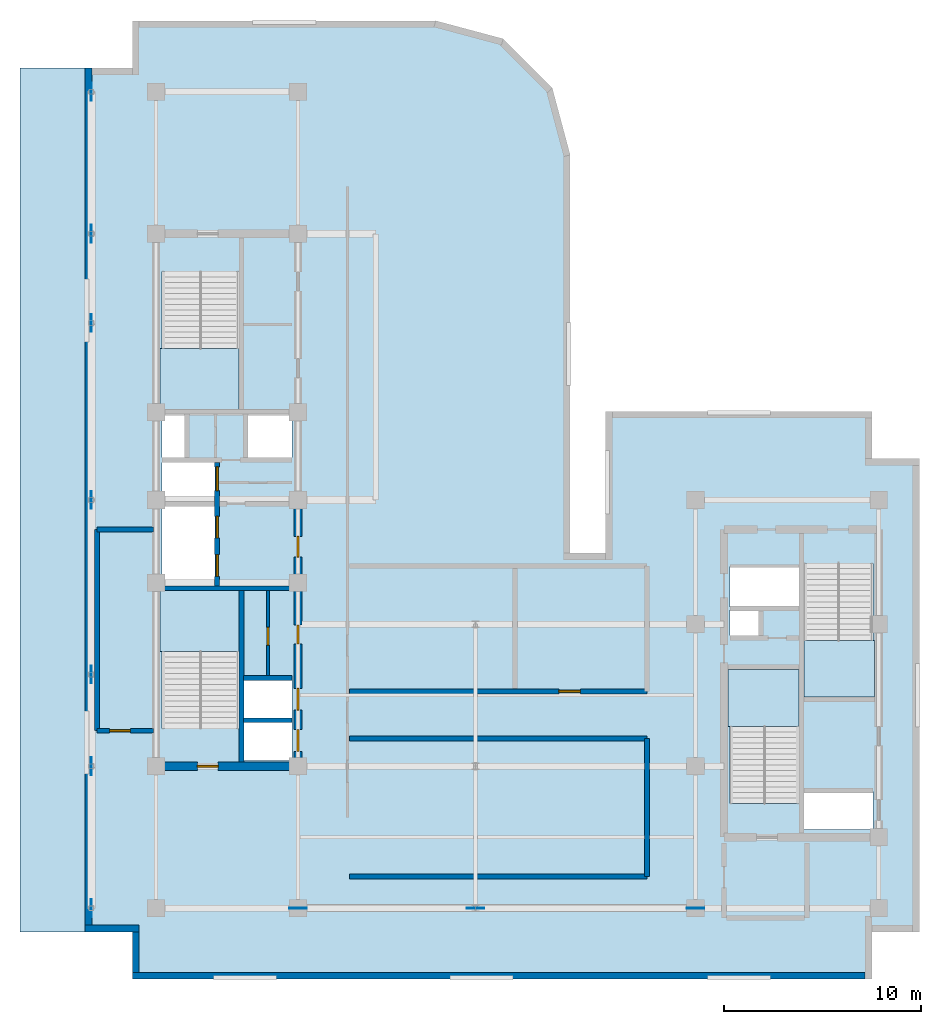
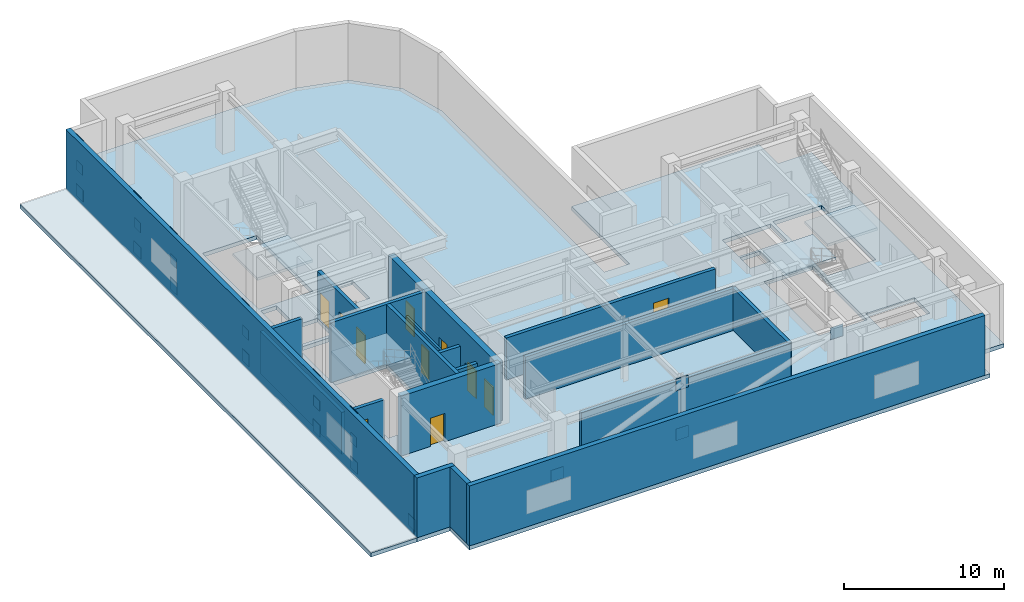
# One storey, part 6 of 13: 23 plates, 19 walls, 11 doors, 6 slabs, 11 openings, 4 elements without a shape of their own.
"""IFC4 building model written with IfcOpenShell, lengths in metres."""

import ifcopenshell
import ifcopenshell.guid

model = None  # the IFC model being written
_history = None  # IfcOwnerHistory: only IFC2X3 demands one
_inside = {}  # id of a spatial element -> (the spatial element, [elements in it])
_under = {}  # id of a project, library or spatial element -> (it, [spatial elements below it])
_declared = {}  # id of a project -> (the project, [libraries it declares])
_typed = {}  # id of a type object -> (the type object, [elements of that type])
_made_of = {}  # id of a material, layer set ... -> (it, [elements and type objects made of it])


def new_model(schema):
    """Start an empty IFC model of exactly this schema.

    Asked for "IFC4X3", IfcOpenShell would pick the latest addendum, in which some entities
    have other attributes; the version numbers below select the first issue.
    IFC2X3 requires an IfcOwnerHistory on every rooted entity: one is made here for all.
    """
    global model, _history
    if schema == "IFC4X3":
        model = ifcopenshell.file(schema_version=(4, 3, 0, 0))
    else:
        model = ifcopenshell.file(schema=schema)
    _inside.clear()
    _under.clear()
    _declared.clear()
    _typed.clear()
    _made_of.clear()
    _history = None
    if model.schema == "IFC2X3":
        org = make("IfcOrganization", Name="unknown")
        user = make(
            "IfcPersonAndOrganization",
            ThePerson=make("IfcPerson", FamilyName="unknown"),
            TheOrganization=org,
        )
        app = make(
            "IfcApplication",
            ApplicationDeveloper=org,
            Version="unknown",
            ApplicationFullName="unknown",
            ApplicationIdentifier="unknown",
        )
        _history = make(
            "IfcOwnerHistory",
            OwningUser=user,
            OwningApplication=app,
            ChangeAction="ADDED",
            CreationDate=0,
        )
    return model


def make(cls, **values):
    """One entity of the class cls with the attributes given. An attribute that is None is left unset."""
    return model.create_entity(
        cls, **{name: value for name, value in values.items() if value is not None}
    )


def entity(cls, *values):
    """Any entity or typed value of the class cls, its attributes in the order of the schema. None: left unset."""
    e = model.create_entity(cls)
    for i, value in enumerate(values):
        if value is not None:
            e[i] = value
    return e


def rooted(cls, **values):
    """An entity with a GlobalId (a new one), such as an element, a storey or a relation."""
    return make(cls, GlobalId=ifcopenshell.guid.new(), OwnerHistory=_history, **values)


def si_unit(unit_type, name, prefix=None):
    """IfcSIUnit, for example si_unit("LENGTHUNIT", "METRE", prefix="MILLI")."""
    return make("IfcSIUnit", UnitType=unit_type, Prefix=prefix, Name=name)


def converted_unit(unit_type, name, factor, base, dimensions=None, offset=None):
    """IfcConversionBasedUnit, such as the inch: factor (a typed value) times the base unit."""
    return make(
        "IfcConversionBasedUnit"
        if offset is None
        else "IfcConversionBasedUnitWithOffset",
        ConversionOffset=offset,
        Dimensions=None
        if dimensions is None
        else entity("IfcDimensionalExponents", *dimensions),
        UnitType=unit_type,
        Name=name,
        ConversionFactor=make(
            "IfcMeasureWithUnit", ValueComponent=factor, UnitComponent=base
        ),
    )


def assignment(units):
    """IfcUnitAssignment: the units of a project."""
    return None if units is None else make("IfcUnitAssignment", Units=units)


def point(xyz):
    """IfcCartesianPoint."""
    return None if xyz is None else make("IfcCartesianPoint", Coordinates=xyz)


def direction(xyz):
    """IfcDirection."""
    return None if xyz is None else make("IfcDirection", DirectionRatios=xyz)


def frame(location, z_axis=None, x_axis=None):
    """IfcAxis2Placement3D, a coordinate frame: its origin and axes. An axis left out is left unset."""
    return make(
        "IfcAxis2Placement3D",
        Location=point(location),
        Axis=direction(z_axis),
        RefDirection=direction(x_axis),
    )


def frame_2d(location, x_axis=None):
    """IfcAxis2Placement2D, a coordinate frame in the plane: its origin and x axis."""
    return make(
        "IfcAxis2Placement2D", Location=point(location), RefDirection=direction(x_axis)
    )


def origin_with_axes():
    """The frame at (0, 0, 0) with the z axis (0, 0, 1) and the x axis (1, 0, 0) written out."""
    return frame((0.0, 0.0, 0.0), z_axis=(0.0, 0.0, 1.0), x_axis=(1.0, 0.0, 0.0))


def origin_2d_with_axis():
    """The frame at (0, 0) in the plane with the x axis (1, 0) written out."""
    return frame_2d((0.0, 0.0), x_axis=(1.0, 0.0))


def place(relative_to, where):
    """IfcLocalPlacement: puts the frame where relative to a parent placement (None: the world)."""
    return make(
        "IfcLocalPlacement", PlacementRelTo=relative_to, RelativePlacement=where
    )


def context(
    kind, dimensions, precision=None, world=None, true_north=None, identifier=None
):
    """IfcGeometricRepresentationContext, for example the 3D "Model" context."""
    return make(
        "IfcGeometricRepresentationContext",
        ContextIdentifier=identifier,
        ContextType=kind,
        CoordinateSpaceDimension=dimensions,
        Precision=precision,
        WorldCoordinateSystem=world,
        TrueNorth=true_north,
    )


def subcontext(parent, identifier, kind, view, scale=None):
    """IfcGeometricRepresentationSubContext, for example "Body" below "Model"."""
    return make(
        "IfcGeometricRepresentationSubContext",
        ContextIdentifier=identifier,
        ContextType=kind,
        ParentContext=parent,
        TargetScale=scale,
        TargetView=view,
    )


def project(units=None, contexts=None):
    """IfcProject with its units and contexts."""
    return rooted(
        "IfcProject",
        Name="project",
        RepresentationContexts=contexts,
        UnitsInContext=assignment(units),
    )


def spatial(cls, under=None, at=None, **own):
    """A site, building, storey or space (cls), placed at a placement, below another one or the project."""
    s = rooted(cls, ObjectPlacement=at, **own)
    if under is not None:
        _under.setdefault(under.id(), (under, []))[1].append(s)
    return s


def polyline(points):
    """IfcPolyline through the points."""
    return make("IfcPolyline", Points=[point(p) for p in points])


def profile(cls, at=None, kind="AREA", **sizes):
    """A parametric profile (cls). Its sizes go by their IFC names, for example OverallWidth=200.0."""
    return make(cls, ProfileType=kind, Position=at, **sizes)


def rectangle(**sizes):
    """IfcRectangleProfileDef."""
    return profile("IfcRectangleProfileDef", **sizes)


def outline(outer, holes=None, kind="AREA"):
    """IfcArbitraryClosedProfileDef: a profile drawn as a closed curve; with holes, ...WithVoids."""
    if holes is None:
        return make("IfcArbitraryClosedProfileDef", ProfileType=kind, OuterCurve=outer)
    return make(
        "IfcArbitraryProfileDefWithVoids",
        ProfileType=kind,
        OuterCurve=outer,
        InnerCurves=holes,
    )


def extrude(swept, where, along, depth):
    """IfcExtrudedAreaSolid: the profile swept, set in the frame where, extruded along a direction by depth."""
    return make(
        "IfcExtrudedAreaSolid",
        SweptArea=swept,
        Position=where,
        ExtrudedDirection=direction(along),
        Depth=depth,
    )


def shape(context_of_items, identifier, shape_type, items):
    """IfcShapeRepresentation: the items that make up one representation, for example the "Body"."""
    return make(
        "IfcShapeRepresentation",
        ContextOfItems=context_of_items,
        RepresentationIdentifier=identifier,
        RepresentationType=shape_type,
        Items=items,
    )


def material(Name=None, Category=None):
    """IfcMaterial."""
    return make("IfcMaterial", Name=Name, Category=Category)


def layer(
    of_material, thickness, ventilated=None, Name=None, Category=None, Priority=None
):
    """IfcMaterialLayer: one layer of a wall or slab, of a material (None: an air gap)."""
    return make(
        "IfcMaterialLayer",
        Material=of_material,
        LayerThickness=thickness,
        IsVentilated=ventilated,
        Name=Name,
        Category=Category,
        Priority=Priority,
    )


def layer_set(layers, Name=None):
    """IfcMaterialLayerSet."""
    return make("IfcMaterialLayerSet", MaterialLayers=layers, LayerSetName=Name)


def made_of(thing, what):
    """Note that an element or type object is made of a material, layer set ...; save() writes the relation."""
    if what is not None:
        _made_of.setdefault(what.id(), (what, []))[1].append(thing)
    return thing


def type_object(cls, material=None, **own):
    """A type object (cls), such as IfcWallType, which elements share."""
    return made_of(rooted(cls, **own), material)


def element(
    cls,
    number,
    at=None,
    inside=None,
    cuts=None,
    type_object=None,
    material=None,
    context=None,
    identifier="Body",
    shape_type=None,
    held_by="IfcProductDefinitionShape",
    body=None,
    shapes=None,
    **own,
):
    """One element of the class cls, such as IfcWall. Its Tag is "e" and its number.

    at: its placement. inside: the storey or other place that contains it. cuts: it is an
    opening in that element (IfcRelVoidsElement). A single representation is given by context,
    identifier, shape_type and body (its items); several are given by shapes. held_by: the class
    of the entity that holds the representations. save() writes the other relations.
    """
    e = rooted(cls, Tag="e%d" % number, ObjectPlacement=at, **own)
    if body is not None:
        shapes = [shape(context, identifier, shape_type, body)]
    if shapes is not None:
        e.Representation = make(held_by, Representations=shapes)
    if inside is not None:
        _inside.setdefault(inside.id(), (inside, []))[1].append(e)
    if cuts is not None:
        rooted(
            "IfcRelVoidsElement", RelatingBuildingElement=cuts, RelatedOpeningElement=e
        )
    if type_object is not None:
        _typed.setdefault(type_object.id(), (type_object, []))[1].append(e)
    return made_of(e, material)


def fill(opening, filler):
    """IfcRelFillsElement: the door or window that sits in an opening."""
    return rooted(
        "IfcRelFillsElement",
        RelatingOpeningElement=opening,
        RelatedBuildingElement=filler,
    )


def aggregate(whole, parts):
    """IfcRelAggregates: a whole, such as a stair, and the parts it consists of."""
    return rooted("IfcRelAggregates", RelatingObject=whole, RelatedObjects=parts)


def save(model, path):
    """Write the relations noted so far, then the file.

    IfcRelAggregates (storeys below a building ...), IfcRelContainedInSpatialStructure (elements
    in a storey), IfcRelDefinesByType, IfcRelAssociatesMaterial and IfcRelDeclares: one each for
    every whole, place, type object, material and project.
    """
    for whole, parts in _under.values():
        aggregate(whole, parts)
    for where, things in _inside.values():
        rooted(
            "IfcRelContainedInSpatialStructure",
            RelatedElements=things,
            RelatingStructure=where,
        )
    for kind, things in _typed.values():
        rooted("IfcRelDefinesByType", RelatedObjects=things, RelatingType=kind)
    for what, things in _made_of.values():
        rooted("IfcRelAssociatesMaterial", RelatedObjects=things, RelatingMaterial=what)
    for by, libraries in _declared.values():
        rooted("IfcRelDeclares", RelatingContext=by, RelatedDefinitions=libraries)
    model.write(path)


model = new_model("IFC4")

# Units and contexts
model_context = context("Model", 3, precision=1e-05, world=origin_with_axes(), true_north=direction((0.0, 1.0)))
body_context = subcontext(model_context, "Body", "Model", "MODEL_VIEW")
ifc_project = project(units=[si_unit("LENGTHUNIT", "METRE"), si_unit("AREAUNIT", "SQUARE_METRE"), si_unit("VOLUMEUNIT", "CUBIC_METRE"), converted_unit("PLANEANGLEUNIT", "DEGREE", entity("IfcPlaneAngleMeasure", 0.017453292519943295), si_unit("PLANEANGLEUNIT", "RADIAN"), dimensions=[0, 0, 0, 0, 0, 0, 0]), si_unit("MASSUNIT", "GRAM", prefix="KILO"), si_unit("THERMODYNAMICTEMPERATUREUNIT", "KELVIN")], contexts=[model_context])

# Site, building, storey
site_placement = place(None, origin_with_axes())
site = spatial("IfcSite", under=ifc_project, at=site_placement, CompositionType="ELEMENT")
building_placement = place(site_placement, origin_with_axes())
building = spatial("IfcBuilding", under=site, at=building_placement, Name="Varnlund Millrace Tower", CompositionType="ELEMENT")
storey_placement = place(building_placement, frame((0.0, 0.0, 248.1), z_axis=(0.0, 0.0, 1.0), x_axis=(1.0, 0.0, 0.0)))
storey = spatial("IfcBuildingStorey", under=building, at=storey_placement, Name="L61", CompositionType="ELEMENT", Elevation=248.1)

# Slabs
ifc_material_1 = material(Name="Concrete C50/60", Category="concrete")
ifc_layer_1 = layer(ifc_material_1, 0.3, Name="Concrete C50/60")
ifc_layer_set_1 = layer_set([ifc_layer_1], Name="Concrete C50/60")
slab_type_1 = type_object("IfcSlabType", Name="Type-Cap-Deck-Setback-300", PredefinedType="ROOF", material=ifc_layer_set_1)
slab_1_placement = place(storey_placement, frame((0.0, 0.0, -0.3), z_axis=(0.0, 0.0, 1.0), x_axis=(1.0, 0.0, 0.0)))
element("IfcSlab", 1, at=slab_1_placement, inside=storey, type_object=slab_type_1, Name="Type-Cap-Deck-Setback-300", PredefinedType="ROOF", context=body_context, shape_type="SweptSolid", body=[
    extrude(outline(polyline([(7.8, 2.4), (7.8, 46.2), (4.5, 46.2), (4.5, 2.4), (7.8, 2.4)])), origin_with_axes(), (0.0, 0.0, 1.0), 0.3),
])
ifc_material_2 = material(Name="Concrete C70/85", Category="concrete")
ifc_layer_2 = layer(ifc_material_2, 0.3, Name="Concrete C70/85")
ifc_layer_set_2 = layer_set([ifc_layer_2], Name="Concrete C70/85")
slab_type_2 = type_object("IfcSlabType", Name="Type-Deck-Plate-Transfer-300", PredefinedType="FLOOR", material=ifc_layer_set_2)
slab_2_placement = place(storey_placement, frame((0.0, 0.0, -0.3), z_axis=(0.0, 0.0, 1.0), x_axis=(1.0, 0.0, 0.0)))
element("IfcSlab", 2, at=slab_2_placement, inside=storey, type_object=slab_type_2, Name="Type-Deck-Plate-Transfer-300", PredefinedType="FLOOR", context=body_context, shape_type="SweptSolid", body=[
    extrude(outline(polyline([(32.4, 21.6), (32.4, 41.8), (31.489, 45.2), (29.0, 47.689), (25.6, 48.6), (10.2, 48.6), (10.2, 46.2), (7.8, 46.2), (7.8, 2.4), (10.2, 2.4), (10.2, 0.0), (47.7, 0.0), (47.7, 2.4), (50.1, 2.4), (50.1, 26.4), (47.7, 26.4), (47.7, 28.8), (34.2, 28.8), (34.2, 21.6), (32.4, 21.6)]), holes=[polyline([(18.3, 13.1), (18.3, 11.1), (15.84, 11.1), (15.84, 13.1), (18.3, 13.1)]), polyline([(15.6, 12.715), (11.7, 12.715), (11.7, 19.7), (15.6, 19.7), (15.6, 12.715)]), polyline([(11.7, 19.94), (11.7, 23.98), (14.38, 23.98), (14.38, 19.94), (11.7, 19.94)]), polyline([(14.38, 24.24), (11.7, 24.24), (11.7, 26.2), (14.38, 26.2), (14.38, 24.24)]), polyline([(12.84, 26.46), (11.7, 26.46), (11.7, 28.65), (12.84, 28.65), (12.84, 26.46)]), polyline([(15.6, 28.9), (11.7, 28.9), (11.7, 35.885), (15.6, 35.885), (15.6, 28.9)]), polyline([(47.75, 9.52), (47.75, 7.58), (44.25, 7.58), (44.25, 9.52), (47.75, 9.52)]), polyline([(44.0, 8.915), (40.5, 8.915), (40.5, 15.7), (44.0, 15.7), (44.0, 8.915)]), polyline([(18.3, 13.16), (15.84, 13.16), (15.84, 15.24), (18.3, 15.24), (18.3, 13.16)]), polyline([(47.75, 14.3), (44.25, 14.3), (44.25, 21.085), (47.75, 21.085), (47.75, 14.3)]), polyline([(41.95, 17.42), (40.5, 17.42), (40.5, 18.72), (41.95, 18.72), (41.95, 17.42)]), polyline([(44.0, 18.88), (40.5, 18.88), (40.5, 20.94), (44.0, 20.94), (44.0, 18.88)]), polyline([(18.3, 26.46), (16.04, 26.46), (16.04, 28.65), (18.3, 28.65), (18.3, 26.46)])]), origin_with_axes(), (0.0, 0.0, 1.0), 0.3),
])

# Plates
ifc_material_3 = material(Name="Steel ASTM A572 Grade 50", Category="steel")
ifc_layer_3 = layer(ifc_material_3, 0.04, Name="Steel ASTM A572 Grade 50")
ifc_layer_set_3 = layer_set([ifc_layer_3], Name="Steel ASTM A572 Grade 50")
plate_type_1 = type_object("IfcPlateType", Name="Type-Gusset-Plate-900X900X40", PredefinedType="SHEET", material=ifc_layer_set_3)
for number, where, z_axis, x_axis, name in (
    (3, (8.12, 3.6, -0.1), (0.0, 0.0, 1.0), (0.0, 1.0, 0.0), "Type-Gusset-Plate-900X900X40"),
    (4, (8.12, 10.8, -0.1), (0.0, 0.0, 1.0), (0.0, 1.0, 0.0), "Type-Gusset-Plate-900X900X40"),
    (5, (8.12, 10.8, 3.7), (0.0, 0.0, 1.0), (0.0, 1.0, 0.0), "Type-Gusset-Plate-900X900X40"),
    (6, (8.12, 15.45, -0.1), (0.0, 0.0, 1.0), (0.0, 1.0, 0.0), "Type-Gusset-Plate-900X900X40"),
    (7, (8.12, 15.45, 3.7), (0.0, 0.0, 1.0), (0.0, 1.0, 0.0), "Type-Gusset-Plate-900X900X40"),
    (8, (8.12, 24.3, -0.1), (0.0, 0.0, 1.0), (0.0, 1.0, 0.0), "Type-Gusset-Plate-900X900X40"),
    (9, (8.12, 24.3, 3.7), (0.0, 0.0, 1.0), (0.0, 1.0, 0.0), "Type-Gusset-Plate-900X900X40"),
    (10, (8.12, 33.275, -0.1), (0.0, 0.0, 1.0), (0.0, 1.0, 0.0), "Type-Gusset-Plate-900X900X40"),
    (11, (8.12, 33.275, 3.7), (0.0, 0.0, 1.0), (0.0, 1.0, 0.0), "Type-Gusset-Plate-900X900X40"),
    (12, (8.12, 37.8, -0.1), (0.0, 0.0, 1.0), (0.0, 1.0, 0.0), "Type-Gusset-Plate-900X900X40"),
    (13, (8.12, 37.8, 3.7), (0.0, 0.0, 1.0), (0.0, 1.0, 0.0), "Type-Gusset-Plate-900X900X40"),
    (14, (8.12, 45.0, -0.1), (0.0, 0.0, 1.0), (0.0, 1.0, 0.0), "Type-Gusset-Plate-900X900X40"),
    (15, (8.12, 45.0, 3.7), (0.0, 0.0, 1.0), (0.0, 1.0, 0.0), "Type-Gusset-Plate-900X900X40"),
    (16, (18.6, 3.6, -0.1), (0.0, 0.0, 1.0), (1.0, 0.0, 0.0), "Type-Gusset-Plate-900X900X40"),
    (17, (27.6, 3.6, -0.1), (0.0, 0.0, 1.0), (1.0, 0.0, 0.0), "Type-Gusset-Plate-900X900X40"),
    (18, (27.6, 3.6, 3.7), (0.0, 0.0, 1.0), (1.0, 0.0, 0.0), "Type-Gusset-Plate-900X900X40"),
    (19, (38.75, 3.6, 3.7), (0.0, 0.0, 1.0), (1.0, 0.0, 0.0), "Type-Gusset-Plate-900X900X40"),
):
    element("IfcPlate", number, at=place(storey_placement, frame(where, z_axis=z_axis, x_axis=x_axis)), inside=storey, type_object=plate_type_1, Name=name, PredefinedType="SHEET", context=body_context, shape_type="SweptSolid", body=[
        extrude(rectangle(XDim=0.9, YDim=0.04, at=origin_2d_with_axis()), origin_with_axes(), (0.0, 0.0, 1.0), 0.9),
    ])

# Stair, slab
stair_type_1 = type_object("IfcStairType", Name="Type-Stair-Dogleg-185-480", PredefinedType="HALF_TURN_STAIR", material=ifc_material_1)
stair_1_placement = place(storey_placement, origin_with_axes())
stair_1 = element("IfcStair", 20, at=stair_1_placement, inside=storey, type_object=stair_type_1, Name="Type-Stair-Dogleg-185-480", PredefinedType="HALF_TURN_STAIR")
ifc_layer_4 = layer(ifc_material_1, 0.2, Name="Concrete C50/60")
ifc_layer_set_4 = layer_set([ifc_layer_4], Name="Concrete C50/60")
slab_type_3 = type_object("IfcSlabType", Name="Type-StairLanding-200", PredefinedType="LANDING", material=ifc_layer_set_4)
slab_3_placement = place(storey_placement, frame((0.0, 0.0, 2.2), z_axis=(0.0, 0.0, 1.0), x_axis=(1.0, 0.0, 0.0)))
slab_3 = element("IfcSlab", 21, at=slab_3_placement, type_object=slab_type_3, Name="ST-A1 landing 1", PredefinedType="LANDING", context=body_context, shape_type="SweptSolid", body=[
    extrude(outline(polyline([(15.6, 16.62), (15.6, 19.7), (11.61, 19.7), (11.61, 16.62), (15.6, 16.62)])), origin_with_axes(), (0.0, 0.0, 1.0), 0.2),
])
aggregate(stair_1, [slab_3])

stair_2_placement = place(storey_placement, origin_with_axes())
stair_2 = element("IfcStair", 22, at=stair_2_placement, inside=storey, type_object=stair_type_1, Name="Type-Stair-Dogleg-185-480", PredefinedType="HALF_TURN_STAIR")
slab_4_placement = place(storey_placement, frame((0.0, 0.0, 2.2), z_axis=(0.0, 0.0, 1.0), x_axis=(1.0, 0.0, 0.0)))
slab_4 = element("IfcSlab", 23, at=slab_4_placement, type_object=slab_type_3, Name="ST-A2 landing 1", PredefinedType="LANDING", context=body_context, shape_type="SweptSolid", body=[
    extrude(outline(polyline([(11.61, 31.98), (11.61, 28.9), (15.6, 28.9), (15.6, 31.98), (11.61, 31.98)])), origin_with_axes(), (0.0, 0.0, 1.0), 0.2),
])
aggregate(stair_2, [slab_4])

stair_type_2 = type_object("IfcStairType", Name="Type-Stair-Dogleg-165-480", PredefinedType="HALF_TURN_STAIR", material=ifc_material_1)
stair_3_placement = place(storey_placement, origin_with_axes())
stair_3 = element("IfcStair", 24, at=stair_3_placement, inside=storey, type_object=stair_type_2, Name="Type-Stair-Dogleg-165-480", PredefinedType="HALF_TURN_STAIR")
slab_5_placement = place(storey_placement, frame((0.0, 0.0, 2.2), z_axis=(0.0, 0.0, 1.0), x_axis=(1.0, 0.0, 0.0)))
slab_5 = element("IfcSlab", 25, at=slab_5_placement, type_object=slab_type_3, Name="ST-B1 landing 1", PredefinedType="LANDING", context=body_context, shape_type="SweptSolid", body=[
    extrude(outline(polyline([(44.0, 12.82), (44.0, 15.7), (40.41, 15.7), (40.41, 12.82), (44.0, 12.82)])), origin_with_axes(), (0.0, 0.0, 1.0), 0.2),
])
aggregate(stair_3, [slab_5])

stair_4_placement = place(storey_placement, origin_with_axes())
stair_4 = element("IfcStair", 26, at=stair_4_placement, inside=storey, type_object=stair_type_2, Name="Type-Stair-Dogleg-165-480", PredefinedType="HALF_TURN_STAIR")
slab_6_placement = place(storey_placement, frame((0.0, 0.0, 2.2), z_axis=(0.0, 0.0, 1.0), x_axis=(1.0, 0.0, 0.0)))
slab_6 = element("IfcSlab", 27, at=slab_6_placement, type_object=slab_type_3, Name="ST-B2 landing 1", PredefinedType="LANDING", context=body_context, shape_type="SweptSolid", body=[
    extrude(outline(polyline([(44.25, 17.18), (44.25, 14.3), (47.84, 14.3), (47.84, 17.18), (44.25, 17.18)])), origin_with_axes(), (0.0, 0.0, 1.0), 0.2),
])
aggregate(stair_4, [slab_6])

# Plates
ifc_layer_5 = layer(ifc_material_3, 0.032, Name="Steel ASTM A572 Grade 50")
ifc_layer_set_5 = layer_set([ifc_layer_5], Name="Steel ASTM A572 Grade 50")
plate_type_2 = type_object("IfcPlateType", Name="Type-Stiffener-Plate-750X750X32", PredefinedType="USERDEFINED", material=ifc_layer_set_5)
for number, where, z_axis, x_axis, name in (
    (28, (8.12, 10.8, 1.875), (0.0, 0.0, 1.0), (0.0, 1.0, 0.0), "Type-Stiffener-Plate-750X750X32"),
    (29, (8.12, 15.45, 1.875), (0.0, 0.0, 1.0), (0.0, 1.0, 0.0), "Type-Stiffener-Plate-750X750X32"),
    (30, (8.12, 24.3, 1.875), (0.0, 0.0, 1.0), (0.0, 1.0, 0.0), "Type-Stiffener-Plate-750X750X32"),
    (31, (8.12, 33.275, 1.875), (0.0, 0.0, 1.0), (0.0, 1.0, 0.0), "Type-Stiffener-Plate-750X750X32"),
    (32, (8.12, 37.8, 1.875), (0.0, 0.0, 1.0), (0.0, 1.0, 0.0), "Type-Stiffener-Plate-750X750X32"),
    (33, (8.12, 45.0, 1.875), (0.0, 0.0, 1.0), (0.0, 1.0, 0.0), "Type-Stiffener-Plate-750X750X32"),
):
    element("IfcPlate", number, at=place(storey_placement, frame(where, z_axis=z_axis, x_axis=x_axis)), inside=storey, type_object=plate_type_2, Name=name, ObjectType="STIFFENER PLATE", PredefinedType="USERDEFINED", context=body_context, shape_type="SweptSolid", body=[
        extrude(rectangle(XDim=0.75, YDim=0.032, at=origin_2d_with_axis()), origin_with_axes(), (0.0, 0.0, 1.0), 0.75),
    ])

# Wall, opening, door
ifc_material_4 = material(Name="Concrete C60/75", Category="concrete")
ifc_layer_6 = layer(ifc_material_4, 0.42, Name="Concrete C60/75")
ifc_layer_set_6 = layer_set([ifc_layer_6], Name="Concrete C60/75")
wall_type_1 = type_object("IfcWallType", Name="Type-CoreWall-Shear-420-C60", PredefinedType="SHEAR", material=ifc_layer_set_6)
wall_1_placement = place(storey_placement, frame((11.4, 10.8, 0.0), z_axis=(0.0, 0.0, 1.0), x_axis=(1.0, 0.0, 0.0)))
wall_1 = element("IfcWall", 34, at=wall_1_placement, inside=storey, type_object=wall_type_1, Name="Type-CoreWall-Shear-420-C60", PredefinedType="SHEAR", context=body_context, shape_type="SweptSolid", body=[
    extrude(outline(polyline([(0.0, -0.21), (7.2, -0.21), (7.2, 0.21), (0.0, 0.21), (0.0, -0.21)])), origin_with_axes(), (0.0, 0.0, 1.0), 4.56),
])
opening_1_placement = place(wall_1_placement, frame((2.625, 0.0, 0.0), z_axis=(0.0, 0.0, 1.0), x_axis=(1.0, 0.0, 0.0)))
opening_1 = element("IfcOpeningElement", 35, at=opening_1_placement, cuts=wall_1, Name="Opening L61:DR-STA1", PredefinedType="OPENING", context=body_context, shape_type="SweptSolid", body=[
    extrude(rectangle(XDim=1.05, YDim=0.44, at=origin_2d_with_axis()), origin_with_axes(), (0.0, 0.0, 1.0), 2.15),
])
ifc_material_5 = material(Name="Fire-rated hollow steel door", Category="steel")
door_type_1 = type_object("IfcDoorType", Name="Type-FireDoor-Stair-1050X2150", OperationType="NOTDEFINED", PredefinedType="DOOR", material=ifc_material_5)
door_1_placement = place(wall_1_placement, frame((2.625, 0.0, 0.0), z_axis=(0.0, 0.0, 1.0), x_axis=(1.0, 0.0, 0.0)))
door_1 = element("IfcDoor", 36, at=door_1_placement, inside=storey, type_object=door_type_1, Name="Type-FireDoor-Stair-1050X2150", OperationType="SINGLE_SWING_LEFT", OverallHeight=2.15, OverallWidth=1.05, PredefinedType="DOOR", context=body_context, shape_type="SweptSolid", body=[
    extrude(rectangle(XDim=1.05, YDim=0.09, at=origin_2d_with_axis()), origin_with_axes(), (0.0, 0.0, 1.0), 2.15),
])
fill(opening_1, door_1)

# Wall, openings, doors
wall_2_placement = place(storey_placement, frame((18.6, 10.8, 0.0), z_axis=(0.0, 0.0, 1.0), x_axis=(0.0, 1.0, 0.0)))
wall_2 = element("IfcWall", 37, at=wall_2_placement, inside=storey, type_object=wall_type_1, Name="Type-CoreWall-Shear-420-C60", PredefinedType="SHEAR", context=body_context, shape_type="SweptSolid", body=[
    extrude(outline(polyline([(0.0, -0.21), (13.5, -0.21), (13.5, 0.21), (0.0, 0.21), (0.0, -0.21)])), origin_with_axes(), (0.0, 0.0, 1.0), 4.56),
])
opening_2_placement = place(wall_2_placement, frame((1.3, 0.0, 0.0), z_axis=(0.0, 0.0, 1.0), x_axis=(1.0, 0.0, 0.0)))
opening_2 = element("IfcOpeningElement", 38, at=opening_2_placement, cuts=wall_2, Name="Opening L61:LD-ELV-H1", PredefinedType="OPENING", context=body_context, shape_type="SweptSolid", body=[
    extrude(rectangle(XDim=1.1, YDim=0.44, at=origin_2d_with_axis()), origin_with_axes(), (0.0, 0.0, 1.0), 2.15),
])
opening_3_placement = place(wall_2_placement, frame((3.4, 0.0, 0.0), z_axis=(0.0, 0.0, 1.0), x_axis=(1.0, 0.0, 0.0)))
opening_3 = element("IfcOpeningElement", 39, at=opening_3_placement, cuts=wall_2, Name="Opening L61:LD-ELV-H2", PredefinedType="OPENING", context=body_context, shape_type="SweptSolid", body=[
    extrude(rectangle(XDim=1.1, YDim=0.44, at=origin_2d_with_axis()), origin_with_axes(), (0.0, 0.0, 1.0), 2.15),
])
opening_4_placement = place(wall_2_placement, frame((11.125, 0.0, 0.0), z_axis=(0.0, 0.0, 1.0), x_axis=(1.0, 0.0, 0.0)))
opening_4 = element("IfcOpeningElement", 40, at=opening_4_placement, cuts=wall_2, Name="Opening L61:DR-FFLOB-A", PredefinedType="OPENING", context=body_context, shape_type="SweptSolid", body=[
    extrude(rectangle(XDim=1.05, YDim=0.44, at=origin_2d_with_axis()), origin_with_axes(), (0.0, 0.0, 1.0), 2.15),
])
opening_5_placement = place(wall_2_placement, frame((6.675, 0.0, 0.0), z_axis=(0.0, 0.0, 1.0), x_axis=(1.0, 0.0, 0.0)))
opening_5 = element("IfcOpeningElement", 41, at=opening_5_placement, cuts=wall_2, Name="Opening L61:DR-RECL-S1B2", PredefinedType="OPENING", context=body_context, shape_type="SweptSolid", body=[
    extrude(rectangle(XDim=0.95, YDim=0.44, at=origin_2d_with_axis()), origin_with_axes(), (0.0, 0.0, 1.0), 2.15),
])
ifc_material_6 = material(Name="Smoke-barrier hollow steel fire door", Category="steel")
door_type_2 = type_object("IfcDoorType", Name="Type-FireDoor-Lobby-1050X2150", OperationType="NOTDEFINED", PredefinedType="DOOR", material=ifc_material_6)
door_2_placement = place(wall_2_placement, frame((11.125, 0.0, 0.0), z_axis=(0.0, 0.0, 1.0), x_axis=(1.0, 0.0, 0.0)))
door_2 = element("IfcDoor", 42, at=door_2_placement, inside=storey, type_object=door_type_2, Name="Type-FireDoor-Lobby-1050X2150", OperationType="SINGLE_SWING_LEFT", OverallHeight=2.15, OverallWidth=1.05, PredefinedType="DOOR", context=body_context, shape_type="SweptSolid", body=[
    extrude(rectangle(XDim=1.05, YDim=0.09, at=origin_2d_with_axis()), origin_with_axes(), (0.0, 0.0, 1.0), 2.15),
])
fill(opening_4, door_2)
ifc_material_7 = material(Name="Fire-rated hollow steel core service door", Category="steel")
door_type_3 = type_object("IfcDoorType", Name="Type-FireDoor-Service-950X2150", OperationType="NOTDEFINED", PredefinedType="DOOR", material=ifc_material_7)
door_3_placement = place(wall_2_placement, frame((6.675, 0.0, 0.0), z_axis=(0.0, 0.0, 1.0), x_axis=(1.0, 0.0, 0.0)))
door_3 = element("IfcDoor", 43, at=door_3_placement, inside=storey, type_object=door_type_3, Name="Type-FireDoor-Service-950X2150", OperationType="SINGLE_SWING_RIGHT", OverallHeight=2.15, OverallWidth=0.95, PredefinedType="DOOR", context=body_context, shape_type="SweptSolid", body=[
    extrude(rectangle(XDim=0.95, YDim=0.09, at=origin_2d_with_axis()), origin_with_axes(), (0.0, 0.0, 1.0), 2.15),
])
fill(opening_5, door_3)
ifc_material_8 = material(Name="Stainless and architectural bronze sliding landing door")
door_type_4 = type_object("IfcDoorType", Name="Type-LiftLandingDoor-1100X2150", OperationType="NOTDEFINED", PredefinedType="DOOR", material=ifc_material_8)
door_4_placement = place(wall_2_placement, frame((1.3, 0.0, 0.0), z_axis=(0.0, 0.0, 1.0), x_axis=(1.0, 0.0, 0.0)))
door_4 = element("IfcDoor", 44, at=door_4_placement, inside=storey, type_object=door_type_4, Name="Type-LiftLandingDoor-1100X2150", OperationType="SLIDING_TO_LEFT", OverallHeight=2.15, OverallWidth=1.1, PredefinedType="DOOR", context=body_context, shape_type="SweptSolid", body=[
    extrude(rectangle(XDim=1.1, YDim=0.09, at=origin_2d_with_axis()), origin_with_axes(), (0.0, 0.0, 1.0), 2.15),
])
fill(opening_2, door_4)
door_5_placement = place(wall_2_placement, frame((3.4, 0.0, 0.0), z_axis=(0.0, 0.0, 1.0), x_axis=(1.0, 0.0, 0.0)))
door_5 = element("IfcDoor", 45, at=door_5_placement, inside=storey, type_object=door_type_4, Name="Type-LiftLandingDoor-1100X2150", OperationType="SLIDING_TO_RIGHT", OverallHeight=2.15, OverallWidth=1.1, PredefinedType="DOOR", context=body_context, shape_type="SweptSolid", body=[
    extrude(rectangle(XDim=1.1, YDim=0.09, at=origin_2d_with_axis()), origin_with_axes(), (0.0, 0.0, 1.0), 2.15),
])
fill(opening_3, door_5)

# Walls
ifc_material_9 = material(Name="Precast concrete C50/60", Category="concrete")
ifc_layer_7 = layer(ifc_material_9, 0.34, Name="Precast concrete C50/60")
ifc_layer_set_7 = layer_set([ifc_layer_7], Name="Precast concrete C50/60")
wall_type_2 = type_object("IfcWallType", Name="Type-ExtWall-Precast-Upper-340", PredefinedType="SOLIDWALL", material=ifc_layer_set_7)
wall_3_placement = place(storey_placement, frame((47.36, 0.17, 0.0), z_axis=(0.0, 0.0, 1.0), x_axis=(-1.0, 0.0, 0.0)))
element("IfcWall", 46, at=wall_3_placement, inside=storey, type_object=wall_type_2, Name="Type-ExtWall-Precast-Upper-340", PredefinedType="SOLIDWALL", context=body_context, shape_type="SweptSolid", body=[
    extrude(outline(polyline([(0.0, -0.17), (37.16, -0.17), (37.16, 0.17), (0.0, 0.17), (0.0, -0.17)])), origin_with_axes(), (0.0, 0.0, 1.0), 4.56),
])
wall_4_placement = place(storey_placement, frame((10.37, 0.34, 0.0), z_axis=(0.0, 0.0, 1.0), x_axis=(0.0, 1.0, 0.0)))
element("IfcWall", 47, at=wall_4_placement, inside=storey, type_object=wall_type_2, Name="Type-ExtWall-Precast-Upper-340", PredefinedType="SOLIDWALL", context=body_context, shape_type="SweptSolid", body=[
    extrude(outline(polyline([(0.0, -0.17), (2.06, -0.17), (2.06, 0.17), (0.0, 0.17), (0.0, -0.17)])), origin_with_axes(), (0.0, 0.0, 1.0), 4.56),
])
wall_5_placement = place(storey_placement, frame((10.54, 2.57, 0.0), z_axis=(0.0, 0.0, 1.0), x_axis=(-1.0, 0.0, 0.0)))
element("IfcWall", 48, at=wall_5_placement, inside=storey, type_object=wall_type_2, Name="Type-ExtWall-Precast-Upper-340", PredefinedType="SOLIDWALL", context=body_context, shape_type="SweptSolid", body=[
    extrude(outline(polyline([(0.0, -0.17), (2.74, -0.17), (2.74, 0.17), (0.0, 0.17), (0.0, -0.17)])), origin_with_axes(), (0.0, 0.0, 1.0), 4.56),
])
wall_6_placement = place(storey_placement, frame((7.97, 2.74, 0.0), z_axis=(0.0, 0.0, 1.0), x_axis=(0.0, 1.0, 0.0)))
element("IfcWall", 49, at=wall_6_placement, inside=storey, type_object=wall_type_2, Name="Type-ExtWall-Precast-Upper-340", PredefinedType="SOLIDWALL", context=body_context, shape_type="SweptSolid", body=[
    extrude(outline(polyline([(0.0, -0.17), (43.46, -0.17), (43.46, 0.17), (0.0, 0.17), (0.0, -0.17)])), origin_with_axes(), (0.0, 0.0, 1.0), 4.56),
])

# Wall, opening, door
ifc_material_10 = material(Name="Fire-rated gypsum board on cold-formed steel framing", Category="steel")
ifc_layer_8 = layer(ifc_material_10, 0.16, Name="Fire-rated gypsum board on cold-formed steel framing")
ifc_layer_set_8 = layer_set([ifc_layer_8], Name="Fire-rated gypsum board on cold-formed steel framing")
wall_type_3 = type_object("IfcWallType", Name="Type-Partition-Corridor-160", PredefinedType="PARTITIONING", material=ifc_layer_set_8)
wall_7_placement = place(storey_placement, frame((17.07, 15.34, 0.0), z_axis=(0.0, 0.0, 1.0), x_axis=(0.0, 1.0, 0.0)))
wall_7 = element("IfcWall", 50, at=wall_7_placement, inside=storey, type_object=wall_type_3, Name="Type-Partition-Corridor-160", PredefinedType="PARTITIONING", context=body_context, shape_type="SweptSolid", body=[
    extrude(outline(polyline([(0.0, -0.08), (4.36, -0.08), (4.36, 0.08), (0.0, 0.08), (0.0, -0.08)])), origin_with_axes(), (0.0, 0.0, 1.0), 3.2),
])
opening_6_placement = place(wall_7_placement, frame((2.05, 0.0, 0.0), z_axis=(0.0, 0.0, 1.0), x_axis=(1.0, 0.0, 0.0)))
opening_6 = element("IfcOpeningElement", 51, at=opening_6_placement, cuts=wall_7, Name="Opening L61:DR-RECL-S1B1", PredefinedType="OPENING", context=body_context, shape_type="SweptSolid", body=[
    extrude(rectangle(XDim=0.9, YDim=0.18, at=origin_2d_with_axis()), origin_with_axes(), (0.0, 0.0, 1.0), 2.15),
])
ifc_material_11 = material(Name="Painted steel riser and closet door", Category="steel")
door_type_5 = type_object("IfcDoorType", Name="Type-IntDoor-Closet-900X2150", OperationType="NOTDEFINED", PredefinedType="DOOR", material=ifc_material_11)
door_6_placement = place(wall_7_placement, frame((2.05, 0.0, 0.0), z_axis=(0.0, 0.0, 1.0), x_axis=(1.0, 0.0, 0.0)))
door_6 = element("IfcDoor", 52, at=door_6_placement, inside=storey, type_object=door_type_5, Name="Type-IntDoor-Closet-900X2150", OperationType="SINGLE_SWING_LEFT", OverallHeight=2.15, OverallWidth=0.9, PredefinedType="DOOR", context=body_context, shape_type="SweptSolid", body=[
    extrude(rectangle(XDim=0.9, YDim=0.09, at=origin_2d_with_axis()), origin_with_axes(), (0.0, 0.0, 1.0), 2.15),
])
fill(opening_6, door_6)

# Wall, openings, doors
ifc_layer_9 = layer(ifc_material_4, 0.25, Name="Concrete C60/75")
ifc_layer_set_9 = layer_set([ifc_layer_9], Name="Concrete C60/75")
wall_type_4 = type_object("IfcWallType", Name="Type-ShaftWall-Fire-250", PredefinedType="SOLIDWALL", material=ifc_layer_set_9)
wall_8_placement = place(storey_placement, frame((14.5, 19.95, 0.0), z_axis=(0.0, 0.0, 1.0), x_axis=(0.0, 1.0, 0.0)))
wall_8 = element("IfcWall", 53, at=wall_8_placement, inside=storey, type_object=wall_type_4, Name="Type-ShaftWall-Fire-250", PredefinedType="SOLIDWALL", context=body_context, shape_type="SweptSolid", body=[
    extrude(outline(polyline([(0.0, -0.125), (6.25, -0.125), (6.25, 0.125), (0.0, 0.125), (0.0, -0.125)])), origin_with_axes(), (0.0, 0.0, 1.0), 3.6),
])
opening_7_placement = place(wall_8_placement, frame((1.025, 0.0, 0.0), z_axis=(0.0, 0.0, 1.0), x_axis=(1.0, 0.0, 0.0)))
opening_7 = element("IfcOpeningElement", 54, at=opening_7_placement, cuts=wall_8, Name="Opening L61:LD-FSAE1", PredefinedType="OPENING", context=body_context, shape_type="SweptSolid", body=[
    extrude(rectangle(XDim=1.1, YDim=0.27, at=origin_2d_with_axis()), origin_with_axes(), (0.0, 0.0, 1.0), 2.15),
])
opening_8_placement = place(wall_8_placement, frame((2.975, 0.0, 0.0), z_axis=(0.0, 0.0, 1.0), x_axis=(1.0, 0.0, 0.0)))
opening_8 = element("IfcOpeningElement", 55, at=opening_8_placement, cuts=wall_8, Name="Opening L61:LD-FSAE2", PredefinedType="OPENING", context=body_context, shape_type="SweptSolid", body=[
    extrude(rectangle(XDim=1.1, YDim=0.27, at=origin_2d_with_axis()), origin_with_axes(), (0.0, 0.0, 1.0), 2.15),
])
opening_9_placement = place(wall_8_placement, frame((5.425, 0.0, 0.0), z_axis=(0.0, 0.0, 1.0), x_axis=(1.0, 0.0, 0.0)))
opening_9 = element("IfcOpeningElement", 56, at=opening_9_placement, cuts=wall_8, Name="Opening L61:LD-SRV1", PredefinedType="OPENING", context=body_context, shape_type="SweptSolid", body=[
    extrude(rectangle(XDim=1.2, YDim=0.27, at=origin_2d_with_axis()), origin_with_axes(), (0.0, 0.0, 1.0), 2.15),
])
door_7_placement = place(wall_8_placement, frame((1.025, 0.0, 0.0), z_axis=(0.0, 0.0, 1.0), x_axis=(1.0, 0.0, 0.0)))
door_7 = element("IfcDoor", 57, at=door_7_placement, inside=storey, type_object=door_type_4, Name="Type-LiftLandingDoor-1100X2150", OperationType="SLIDING_TO_LEFT", OverallHeight=2.15, OverallWidth=1.1, PredefinedType="DOOR", context=body_context, shape_type="SweptSolid", body=[
    extrude(rectangle(XDim=1.1, YDim=0.09, at=origin_2d_with_axis()), origin_with_axes(), (0.0, 0.0, 1.0), 2.15),
])
fill(opening_7, door_7)
door_8_placement = place(wall_8_placement, frame((2.975, 0.0, 0.0), z_axis=(0.0, 0.0, 1.0), x_axis=(1.0, 0.0, 0.0)))
door_8 = element("IfcDoor", 58, at=door_8_placement, inside=storey, type_object=door_type_4, Name="Type-LiftLandingDoor-1100X2150", OperationType="SLIDING_TO_RIGHT", OverallHeight=2.15, OverallWidth=1.1, PredefinedType="DOOR", context=body_context, shape_type="SweptSolid", body=[
    extrude(rectangle(XDim=1.1, YDim=0.09, at=origin_2d_with_axis()), origin_with_axes(), (0.0, 0.0, 1.0), 2.15),
])
fill(opening_8, door_8)
ifc_material_12 = material(Name="Heavy-duty freight sliding landing door")
door_type_6 = type_object("IfcDoorType", Name="Type-LiftLandingDoor-Service-1200X2150", OperationType="NOTDEFINED", PredefinedType="DOOR", material=ifc_material_12)
door_9_placement = place(wall_8_placement, frame((5.425, 0.0, 0.0), z_axis=(0.0, 0.0, 1.0), x_axis=(1.0, 0.0, 0.0)))
door_9 = element("IfcDoor", 59, at=door_9_placement, inside=storey, type_object=door_type_6, Name="Type-LiftLandingDoor-Service-1200X2150", OperationType="DOUBLE_DOOR_SLIDING", OverallHeight=2.15, OverallWidth=1.2, PredefinedType="DOOR", context=body_context, shape_type="SweptSolid", body=[
    extrude(rectangle(XDim=1.2, YDim=0.09, at=origin_2d_with_axis()), origin_with_axes(), (0.0, 0.0, 1.0), 2.15),
])
fill(opening_9, door_9)

# Walls
for number, where, z_axis, x_axis, name in (
    (60, (15.84, 13.13, 0.0), (0.0, 0.0, 1.0), (1.0, 0.0, 0.0), "Type-ShaftWall-Fire-250"),
    (61, (15.84, 15.27, 0.0), (0.0, 0.0, 1.0), (1.0, 0.0, 0.0), "Type-ShaftWall-Fire-250"),
):
    element("IfcWall", number, at=place(storey_placement, frame(where, z_axis=z_axis, x_axis=x_axis)), inside=storey, type_object=wall_type_4, Name=name, PredefinedType="SOLIDWALL", context=body_context, shape_type="SweptSolid", body=[
        extrude(outline(polyline([(0.0, -0.125), (2.46, -0.125), (2.46, 0.125), (0.0, 0.125), (0.0, -0.125)])), origin_with_axes(), (0.0, 0.0, 1.0), 3.2),
    ])
wall_9_placement = place(storey_placement, frame((8.4, 12.6, 0.0), z_axis=(0.0, 0.0, 1.0), x_axis=(0.0, 1.0, 0.0)))
element("IfcWall", 62, at=wall_9_placement, inside=storey, type_object=wall_type_4, Name="Type-ShaftWall-Fire-250", PredefinedType="SOLIDWALL", context=body_context, shape_type="SweptSolid", body=[
    extrude(outline(polyline([(0.0, -0.125), (10.2, -0.125), (10.2, 0.125), (0.0, 0.125), (0.0, -0.125)])), origin_with_axes(), (0.0, 0.0, 1.0), 3.2),
])

# Wall, opening, door
wall_10_placement = place(storey_placement, frame((8.4, 12.6, 0.0), z_axis=(0.0, 0.0, 1.0), x_axis=(1.0, 0.0, 0.0)))
wall_10 = element("IfcWall", 63, at=wall_10_placement, inside=storey, type_object=wall_type_4, Name="Type-ShaftWall-Fire-250", PredefinedType="SOLIDWALL", context=body_context, shape_type="SweptSolid", body=[
    extrude(outline(polyline([(0.0, -0.125), (2.87, -0.125), (2.87, 0.125), (0.0, 0.125), (0.0, -0.125)])), origin_with_axes(), (0.0, 0.0, 1.0), 3.2),
])
opening_10_placement = place(wall_10_placement, frame((1.175, 0.0, 0.0), z_axis=(0.0, 0.0, 1.0), x_axis=(1.0, 0.0, 0.0)))
opening_10 = element("IfcOpeningElement", 64, at=opening_10_placement, cuts=wall_10, Name="Opening L61:DR-REF-S", PredefinedType="OPENING", context=body_context, shape_type="SweptSolid", body=[
    extrude(rectangle(XDim=1.05, YDim=0.27, at=origin_2d_with_axis()), origin_with_axes(), (0.0, 0.0, 1.0), 2.15),
])
door_10_placement = place(wall_10_placement, frame((1.175, 0.0, 0.0), z_axis=(0.0, 0.0, 1.0), x_axis=(1.0, 0.0, 0.0)))
door_10 = element("IfcDoor", 65, at=door_10_placement, inside=storey, type_object=door_type_2, Name="Type-FireDoor-Lobby-1050X2150", OperationType="SINGLE_SWING_LEFT", OverallHeight=2.15, OverallWidth=1.05, PredefinedType="DOOR", context=body_context, shape_type="SweptSolid", body=[
    extrude(rectangle(XDim=1.05, YDim=0.09, at=origin_2d_with_axis()), origin_with_axes(), (0.0, 0.0, 1.0), 2.15),
])
fill(opening_10, door_10)

# Walls
wall_11_placement = place(storey_placement, frame((8.4, 22.8, 0.0), z_axis=(0.0, 0.0, 1.0), x_axis=(1.0, 0.0, 0.0)))
element("IfcWall", 66, at=wall_11_placement, inside=storey, type_object=wall_type_4, Name="Type-ShaftWall-Fire-250", PredefinedType="SOLIDWALL", context=body_context, shape_type="SweptSolid", body=[
    extrude(outline(polyline([(0.0, -0.125), (2.87, -0.125), (2.87, 0.125), (0.0, 0.125), (0.0, -0.125)])), origin_with_axes(), (0.0, 0.0, 1.0), 3.2),
])
wall_12_placement = place(storey_placement, frame((21.22, 12.2, 0.0), z_axis=(0.0, 0.0, 1.0), x_axis=(1.0, 0.0, 0.0)))
element("IfcWall", 67, at=wall_12_placement, inside=storey, type_object=wall_type_4, Name="Type-ShaftWall-Fire-250", PredefinedType="SOLIDWALL", context=body_context, shape_type="SweptSolid", body=[
    extrude(outline(polyline([(0.0, -0.125), (15.08, -0.125), (15.08, 0.125), (0.0, 0.125), (0.0, -0.125)])), origin_with_axes(), (0.0, 0.0, 1.0), 3.2),
])

# Wall, opening, door
wall_13_placement = place(storey_placement, frame((21.22, 14.6, 0.0), z_axis=(0.0, 0.0, 1.0), x_axis=(1.0, 0.0, 0.0)))
wall_13 = element("IfcWall", 68, at=wall_13_placement, inside=storey, type_object=wall_type_4, Name="Type-ShaftWall-Fire-250", PredefinedType="SOLIDWALL", context=body_context, shape_type="SweptSolid", body=[
    extrude(outline(polyline([(0.0, -0.125), (15.08, -0.125), (15.08, 0.125), (0.0, 0.125), (0.0, -0.125)])), origin_with_axes(), (0.0, 0.0, 1.0), 3.2),
])
opening_11_placement = place(wall_13_placement, frame((11.15, 0.0, 0.0), z_axis=(0.0, 0.0, 1.0), x_axis=(1.0, 0.0, 0.0)))
opening_11 = element("IfcOpeningElement", 69, at=opening_11_placement, cuts=wall_13, Name="Opening L61:DR-PLT-FAN", PredefinedType="OPENING", context=body_context, shape_type="SweptSolid", body=[
    extrude(rectangle(XDim=1.1, YDim=0.27, at=origin_2d_with_axis()), origin_with_axes(), (0.0, 0.0, 1.0), 2.15),
])
ifc_material_13 = material(Name="Fire-rated mechanical room steel door", Category="steel")
door_type_7 = type_object("IfcDoorType", Name="Type-FireDoor-Plant-1100X2150", OperationType="NOTDEFINED", PredefinedType="DOOR", material=ifc_material_13)
door_11_placement = place(wall_13_placement, frame((11.15, 0.0, 0.0), z_axis=(0.0, 0.0, 1.0), x_axis=(1.0, 0.0, 0.0)))
door_11 = element("IfcDoor", 70, at=door_11_placement, inside=storey, type_object=door_type_7, Name="Type-FireDoor-Plant-1100X2150", OperationType="SINGLE_SWING_LEFT", OverallHeight=2.15, OverallWidth=1.1, PredefinedType="DOOR", context=body_context, shape_type="SweptSolid", body=[
    extrude(rectangle(XDim=1.1, YDim=0.09, at=origin_2d_with_axis()), origin_with_axes(), (0.0, 0.0, 1.0), 2.15),
])
fill(opening_11, door_11)

# Walls
wall_14_placement = place(storey_placement, frame((21.22, 5.2, 0.0), z_axis=(0.0, 0.0, 1.0), x_axis=(1.0, 0.0, 0.0)))
element("IfcWall", 71, at=wall_14_placement, inside=storey, type_object=wall_type_4, Name="Type-ShaftWall-Fire-250", PredefinedType="SOLIDWALL", context=body_context, shape_type="SweptSolid", body=[
    extrude(outline(polyline([(0.0, -0.125), (15.08, -0.125), (15.08, 0.125), (0.0, 0.125), (0.0, -0.125)])), origin_with_axes(), (0.0, 0.0, 1.0), 3.2),
])
wall_15_placement = place(storey_placement, frame((36.3, 5.2, 0.0), z_axis=(0.0, 0.0, 1.0), x_axis=(0.0, 1.0, 0.0)))
element("IfcWall", 72, at=wall_15_placement, inside=storey, type_object=wall_type_4, Name="Type-ShaftWall-Fire-250", PredefinedType="SOLIDWALL", context=body_context, shape_type="SweptSolid", body=[
    extrude(outline(polyline([(0.0, -0.125), (7.0, -0.125), (7.0, 0.125), (0.0, 0.125), (0.0, -0.125)])), origin_with_axes(), (0.0, 0.0, 1.0), 3.2),
])
wall_type_5 = type_object("IfcWallType", Name="Type-StairWall-Shear-250", PredefinedType="SHEAR", material=ifc_layer_set_9)
wall_16_placement = place(storey_placement, frame((15.725, 11.01, 0.0), z_axis=(0.0, 0.0, 1.0), x_axis=(0.0, 1.0, 0.0)))
element("IfcWall", 73, at=wall_16_placement, inside=storey, type_object=wall_type_5, Name="Type-StairWall-Shear-250", PredefinedType="SHEAR", context=body_context, shape_type="SweptSolid", body=[
    extrude(outline(polyline([(0.0, -0.125), (8.69, -0.125), (8.69, 0.125), (0.0, 0.125), (0.0, -0.125)])), origin_with_axes(), (0.0, 0.0, 1.0), 4.56),
])
wall_17_placement = place(storey_placement, frame((11.61, 19.825, 0.0), z_axis=(0.0, 0.0, 1.0), x_axis=(1.0, 0.0, 0.0)))
element("IfcWall", 74, at=wall_17_placement, inside=storey, type_object=wall_type_5, Name="Type-StairWall-Shear-250", PredefinedType="SHEAR", context=body_context, shape_type="SweptSolid", body=[
    extrude(outline(polyline([(0.0, -0.125), (6.78, -0.125), (6.78, 0.125), (0.0, 0.125), (0.0, -0.125)])), origin_with_axes(), (0.0, 0.0, 1.0), 4.56),
])

save(model, "model.ifc")
